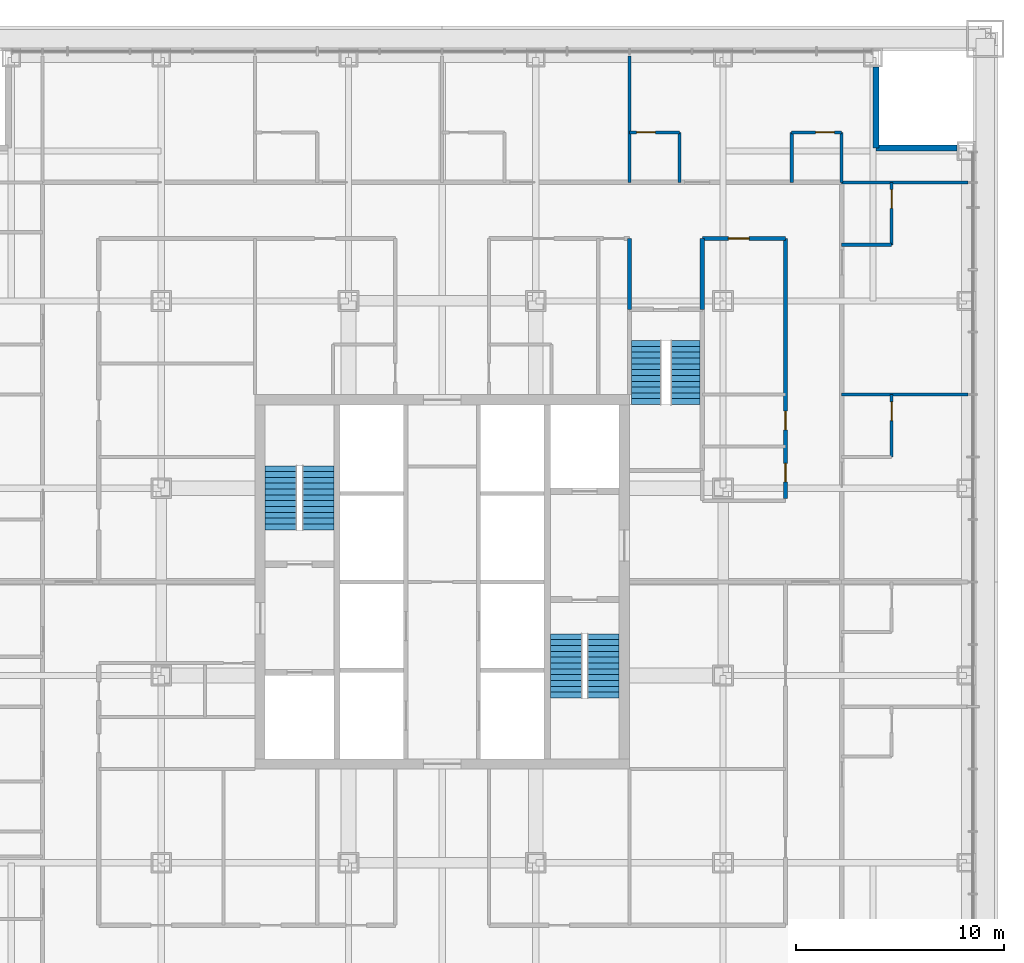
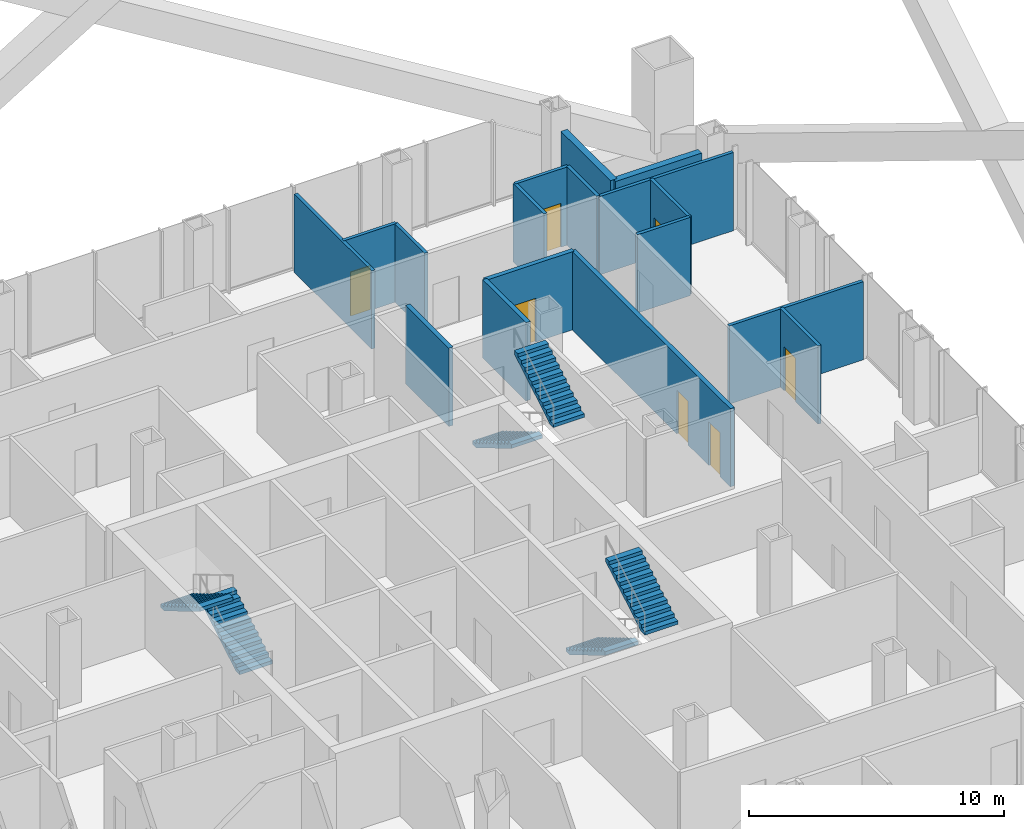
# One storey, part 16 of 21: 17 walls, 7 doors, 6 stair flights, 7 openings, 3 elements without a shape of their own.
"""IFC4 building model written with IfcOpenShell, lengths in metres."""

from ifc_helpers import new_model, si_unit, direction, frame, frame_2d, origin, place, context, subcontext, project, spatial, polyline, rectangle, outline, extrude, material, layer, layer_set, type_object, element, fill, aggregate, save


model = new_model("IFC4")

# Units and contexts
model_context = context("Model", 3, precision=1e-05, world=origin(), true_north=direction((0.0, 1.0)))
body_context = subcontext(model_context, "Body", "Model", "MODEL_VIEW")
ifc_project = project(units=[si_unit("LENGTHUNIT", "METRE"), si_unit("AREAUNIT", "SQUARE_METRE"), si_unit("VOLUMEUNIT", "CUBIC_METRE"), si_unit("PLANEANGLEUNIT", "RADIAN"), si_unit("MASSUNIT", "GRAM", prefix="KILO")], contexts=[model_context])

# Site, building, storey
site_placement = place(None, origin())
site = spatial("IfcSite", under=ifc_project, at=site_placement, CompositionType="ELEMENT")
building_placement = place(site_placement, origin())
building = spatial("IfcBuilding", under=site, at=building_placement, Name="Malebo Sky Hospital", CompositionType="ELEMENT")
storey_placement = place(building_placement, frame((0.0, 0.0, 63.0)))
storey = spatial("IfcBuildingStorey", under=building, at=storey_placement, Name="L14", CompositionType="ELEMENT", Elevation=63.0)

# Wall, opening, door
ifc_material_1 = material(Name="Gypsum board on steel studs", Category="steel")
ifc_layer_1 = layer(ifc_material_1, 0.199951171875)
ifc_layer_set_1 = layer_set([ifc_layer_1], Name="CORRIDOR WALL 200")
wall_type_1 = type_object("IfcWallType", Name="CORRIDOR WALL 200", PredefinedType="PARTITIONING", material=ifc_layer_set_1)
wall_1_placement = place(storey_placement, frame((72.5, 78.5, 0.0), z_axis=(0.0, 0.0, 1.0), x_axis=(1.0, 0.0, 0.0)))
wall_1 = element("IfcWall", 1, at=wall_1_placement, inside=storey, type_object=wall_type_1, Name="Corridor Wall 200 NCI2/2", PredefinedType="PARTITIONING", context=body_context, shape_type="SweptSolid", body=[
    extrude(rectangle(XDim=4.0, YDim=0.199951171875, at=frame_2d((2.0, 0.0))), origin(), (0.0, 0.0, 1.0), 3.75),
])
opening_1_placement = place(wall_1_placement, frame((1.25, 0.0, 0.0)))
opening_1 = element("IfcOpeningElement", 2, at=opening_1_placement, cuts=wall_1, Name="Opening D03", PredefinedType="OPENING", context=body_context, shape_type="SweptSolid", body=[
    extrude(rectangle(XDim=1.0, YDim=2.10009765625, at=frame_2d((0.5, 1.050048828125))), frame((0.0, 0.10986328125, 0.0), z_axis=(0.0, -1.0, 0.0), x_axis=(1.0, 0.0, 0.0)), (0.0, 0.0, 1.0), 0.219970703125),
])
ifc_material_2 = material(Name="Hardwood-faced door leaf in steel frame", Category="steel")
door_type_1 = type_object("IfcDoorType", Name="ROOM DOOR 1000", OperationType="SINGLE_SWING_LEFT", PredefinedType="DOOR", material=ifc_material_2)
door_1_placement = place(opening_1_placement, origin())
door_1 = element("IfcDoor", 3, at=door_1_placement, inside=storey, type_object=door_type_1, Name="Interview room door", OperationType="SINGLE_SWING_LEFT", OverallHeight=2.10009765625, OverallWidth=1.0, PredefinedType="DOOR", context=body_context, shape_type="SweptSolid", body=[
    extrude(rectangle(XDim=1.0, YDim=2.10009765625, at=frame_2d((0.5, 1.050048828125))), frame((0.0, 0.02490234375, 0.0), z_axis=(0.0, -1.0, 0.0), x_axis=(1.0, 0.0, 0.0)), (0.0, 0.0, 1.0), 0.050048828125),
])
fill(opening_1, door_1)

# Wall, openings, doors
wall_2_placement = place(storey_placement, frame((76.5, 78.5, 0.0), z_axis=(0.0, 0.0, 1.0), x_axis=(0.0, -1.0, 0.0)))
wall_2 = element("IfcWall", 4, at=wall_2_placement, inside=storey, type_object=wall_type_1, Name="Corridor Wall 200 ECI1", PredefinedType="PARTITIONING", context=body_context, shape_type="SweptSolid", body=[
    extrude(rectangle(XDim=12.5, YDim=0.199951171875, at=frame_2d((6.25, 0.0))), origin(), (0.0, 0.0, 1.0), 3.75),
])
opening_2_placement = place(wall_2_placement, frame((8.300048828125, 0.0, 0.0)))
opening_2 = element("IfcOpeningElement", 5, at=opening_2_placement, cuts=wall_2, Name="Opening D04", PredefinedType="OPENING", context=body_context, shape_type="SweptSolid", body=[
    extrude(rectangle(XDim=0.89990234375, YDim=2.10009765625, at=frame_2d((0.449951171875, 1.050048828125))), frame((0.0, 0.10986328125, 0.0), z_axis=(0.0, -1.0, 0.0), x_axis=(1.0, 0.0, 0.0)), (0.0, 0.0, 1.0), 0.219970703125),
])
opening_3_placement = place(wall_2_placement, frame((10.800048828125, 0.0, 0.0)))
opening_3 = element("IfcOpeningElement", 6, at=opening_3_placement, cuts=wall_2, Name="Opening D04", PredefinedType="OPENING", context=body_context, shape_type="SweptSolid", body=[
    extrude(rectangle(XDim=0.89990234375, YDim=2.10009765625, at=frame_2d((0.449951171875, 1.050048828125))), frame((0.0, 0.10986328125, 0.0), z_axis=(0.0, -1.0, 0.0), x_axis=(1.0, 0.0, 0.0)), (0.0, 0.0, 1.0), 0.219970703125),
])
door_type_2 = type_object("IfcDoorType", Name="ROOM DOOR 900", OperationType="SINGLE_SWING_LEFT", PredefinedType="DOOR", material=ifc_material_2)
door_2_placement = place(opening_2_placement, origin())
door_2 = element("IfcDoor", 7, at=door_2_placement, inside=storey, type_object=door_type_2, Name="Equipment store door", OperationType="SINGLE_SWING_LEFT", OverallHeight=2.10009765625, OverallWidth=0.89990234375, PredefinedType="DOOR", context=body_context, shape_type="SweptSolid", body=[
    extrude(rectangle(XDim=0.89990234375, YDim=2.10009765625, at=frame_2d((0.449951171875, 1.050048828125))), frame((0.0, 0.02490234375, 0.0), z_axis=(0.0, -1.0, 0.0), x_axis=(1.0, 0.0, 0.0)), (0.0, 0.0, 1.0), 0.050048828125),
])
fill(opening_2, door_2)
door_3_placement = place(opening_3_placement, origin())
door_3 = element("IfcDoor", 8, at=door_3_placement, inside=storey, type_object=door_type_2, Name="Medication room door", OperationType="SINGLE_SWING_LEFT", OverallHeight=2.10009765625, OverallWidth=0.89990234375, PredefinedType="DOOR", context=body_context, shape_type="SweptSolid", body=[
    extrude(rectangle(XDim=0.89990234375, YDim=2.10009765625, at=frame_2d((0.449951171875, 1.050048828125))), frame((0.0, 0.02490234375, 0.0), z_axis=(0.0, -1.0, 0.0), x_axis=(1.0, 0.0, 0.0)), (0.0, 0.0, 1.0), 0.050048828125),
])
fill(opening_3, door_3)

# Walls
for number, where, z_axis, x_axis, name in (
    (9, (69.0, 75.10009765625, 0.0), (0.0, 0.0, 1.0), (0.0, 1.0, 0.0), "Corridor Wall 200 ST3AW"),
    (10, (72.5, 75.10009765625, 0.0), (0.0, 0.0, 1.0), (0.0, 1.0, 0.0), "Corridor Wall 200 ST3AE"),
):
    element("IfcWall", number, at=place(storey_placement, frame(where, z_axis=z_axis, x_axis=x_axis)), inside=storey, type_object=wall_type_1, Name=name, PredefinedType="PARTITIONING", context=body_context, shape_type="SweptSolid", body=[
        extrude(rectangle(XDim=3.39990234375, YDim=0.199951171875, at=frame_2d((1.699951171875, 0.0))), origin(), (0.0, 0.0, 1.0), 3.75),
    ])
ifc_material_3 = material(Name="Anodised aluminium rainscreen on steel framing", Category="steel")
ifc_layer_2 = layer(ifc_material_3, 0.300048828125)
ifc_layer_set_2 = layer_set([ifc_layer_2], Name="NOTCH RAINSCREEN WALL 300")
wall_type_2 = type_object("IfcWallType", Name="NOTCH RAINSCREEN WALL 300", PredefinedType="ELEMENTEDWALL", material=ifc_layer_set_2)
for number, where, z_axis, x_axis, name in (
    (11, (80.85009765625, 86.75, 0.0), (0.0, 0.0, 1.0), (0.0, -1.0, 0.0), "Notch rainscreen wall N1 L14"),
    (12, (80.85009765625, 82.85009765625, 0.0), (0.0, 0.0, 1.0), (1.0, 0.0, 0.0), "Notch rainscreen wall N2 L14"),
):
    element("IfcWall", number, at=place(storey_placement, frame(where, z_axis=z_axis, x_axis=x_axis)), inside=storey, type_object=wall_type_2, Name=name, PredefinedType="ELEMENTEDWALL", context=body_context, shape_type="SweptSolid", body=[
        extrude(rectangle(XDim=3.89990234375, YDim=0.300048828125, at=frame_2d((1.949951171875, 0.0))), origin(), (0.0, 0.0, 1.0), 2.949951171875),
    ])
ifc_layer_3 = layer(ifc_material_1, 0.14990234375)
ifc_layer_set_3 = layer_set([ifc_layer_3], Name="PARTITION 150")
wall_type_3 = type_object("IfcWallType", Name="PARTITION 150", PredefinedType="PARTITIONING", material=ifc_layer_set_3)
wall_3_placement = place(storey_placement, frame((69.0, 81.199951171875, 0.0), z_axis=(0.0, 0.0, 1.0), x_axis=(0.0, 1.0, 0.0)))
element("IfcWall", 13, at=wall_3_placement, inside=storey, type_object=wall_type_3, Name="Partition 150 NP+9.0", PredefinedType="PARTITIONING", context=body_context, shape_type="SweptSolid", body=[
    extrude(rectangle(XDim=6.074951171875, YDim=0.14990234375, at=frame_2d((3.03759765625, 0.0))), origin(), (0.0, 0.0, 1.0), 3.75),
])

# Wall, opening, door
wall_4_placement = place(storey_placement, frame((69.0, 83.60009765625, 0.0), z_axis=(0.0, 0.0, 1.0), x_axis=(1.0, 0.0, 0.0)))
wall_4 = element("IfcWall", 14, at=wall_4_placement, inside=storey, type_object=wall_type_3, Name="Partition 150 NE3F", PredefinedType="PARTITIONING", context=body_context, shape_type="SweptSolid", body=[
    extrude(rectangle(XDim=2.39990234375, YDim=0.14990234375, at=frame_2d((1.199951171875, 0.0))), origin(), (0.0, 0.0, 1.0), 3.75),
])
opening_4_placement = place(wall_4_placement, frame((0.35009765625, 0.0, 0.0)))
opening_4 = element("IfcOpeningElement", 15, at=opening_4_placement, cuts=wall_4, Name="Opening D02", PredefinedType="OPENING", context=body_context, shape_type="SweptSolid", body=[
    extrude(rectangle(XDim=0.89990234375, YDim=2.10009765625, at=frame_2d((0.449951171875, 1.050048828125))), frame((0.0, 0.0849609375, 0.0), z_axis=(0.0, -1.0, 0.0), x_axis=(1.0, 0.0, 0.0)), (0.0, 0.0, 1.0), 0.169921875),
])
door_type_3 = type_object("IfcDoorType", Name="EN-SUITE DOOR 900", OperationType="SINGLE_SWING_LEFT", PredefinedType="DOOR", material=ifc_material_2)
door_4_placement = place(opening_4_placement, origin())
door_4 = element("IfcDoor", 16, at=door_4_placement, inside=storey, type_object=door_type_3, Name="En-suite door", OperationType="SINGLE_SWING_LEFT", OverallHeight=2.10009765625, OverallWidth=0.89990234375, PredefinedType="DOOR", context=body_context, shape_type="SweptSolid", body=[
    extrude(rectangle(XDim=0.89990234375, YDim=2.10009765625, at=frame_2d((0.449951171875, 1.050048828125))), frame((0.0, 0.02490234375, 0.0), z_axis=(0.0, -1.0, 0.0), x_axis=(1.0, 0.0, 0.0)), (0.0, 0.0, 1.0), 0.050048828125),
])
fill(opening_4, door_4)

# Wall
wall_5_placement = place(storey_placement, frame((71.39990234375, 81.199951171875, 0.0), z_axis=(0.0, 0.0, 1.0), x_axis=(0.0, 1.0, 0.0)))
element("IfcWall", 17, at=wall_5_placement, inside=storey, type_object=wall_type_3, Name="Partition 150 NE3S", PredefinedType="PARTITIONING", context=body_context, shape_type="SweptSolid", body=[
    extrude(rectangle(XDim=2.400146484375, YDim=0.14990234375, at=frame_2d((1.2001953125, 0.0))), origin(), (0.0, 0.0, 1.0), 3.75),
])

# Wall, opening, door
wall_6_placement = place(storey_placement, frame((76.800048828125, 83.60009765625, 0.0), z_axis=(0.0, 0.0, 1.0), x_axis=(1.0, 0.0, 0.0)))
wall_6 = element("IfcWall", 18, at=wall_6_placement, inside=storey, type_object=wall_type_3, Name="Partition 150 NG3F", PredefinedType="PARTITIONING", context=body_context, shape_type="SweptSolid", body=[
    extrude(rectangle(XDim=2.39990234375, YDim=0.14990234375, at=frame_2d((1.199951171875, 0.0))), origin(), (0.0, 0.0, 1.0), 3.75),
])
opening_5_placement = place(wall_6_placement, frame((1.14990234375, 0.0, 0.0)))
opening_5 = element("IfcOpeningElement", 19, at=opening_5_placement, cuts=wall_6, Name="Opening D02", PredefinedType="OPENING", context=body_context, shape_type="SweptSolid", body=[
    extrude(rectangle(XDim=0.89990234375, YDim=2.10009765625, at=frame_2d((0.449951171875, 1.050048828125))), frame((0.0, 0.0849609375, 0.0), z_axis=(0.0, -1.0, 0.0), x_axis=(1.0, 0.0, 0.0)), (0.0, 0.0, 1.0), 0.169921875),
])
door_5_placement = place(opening_5_placement, origin())
door_5 = element("IfcDoor", 20, at=door_5_placement, inside=storey, type_object=door_type_3, Name="En-suite door", OperationType="SINGLE_SWING_RIGHT", OverallHeight=2.10009765625, OverallWidth=0.89990234375, PredefinedType="DOOR", context=body_context, shape_type="SweptSolid", body=[
    extrude(rectangle(XDim=0.89990234375, YDim=2.10009765625, at=frame_2d((0.449951171875, 1.050048828125))), frame((0.0, 0.02490234375, 0.0), z_axis=(0.0, -1.0, 0.0), x_axis=(1.0, 0.0, 0.0)), (0.0, 0.0, 1.0), 0.050048828125),
])
fill(opening_5, door_5)

# Walls
for number, where, z_axis, x_axis, name in (
    (21, (76.800048828125, 81.199951171875, 0.0), (0.0, 0.0, 1.0), (0.0, 1.0, 0.0), "Partition 150 NG3S"),
    (22, (79.199951171875, 81.199951171875, 0.0), (0.0, 0.0, 1.0), (0.0, 1.0, 0.0), "Partition 150 NEZ"),
):
    element("IfcWall", number, at=place(storey_placement, frame(where, z_axis=z_axis, x_axis=x_axis)), inside=storey, type_object=wall_type_3, Name=name, PredefinedType="PARTITIONING", context=body_context, shape_type="SweptSolid", body=[
        extrude(rectangle(XDim=2.400146484375, YDim=0.14990234375, at=frame_2d((1.2001953125, 0.0))), origin(), (0.0, 0.0, 1.0), 3.75),
    ])
for number, where, z_axis, x_axis, name in (
    (23, (79.199951171875, 71.0, 0.0), (0.0, 0.0, 1.0), (1.0, 0.0, 0.0), "Partition 150 EP-9.0"),
    (24, (79.199951171875, 81.199951171875, 0.0), (0.0, 0.0, 1.0), (1.0, 0.0, 0.0), "Partition 150 EP0"),
):
    element("IfcWall", number, at=place(storey_placement, frame(where, z_axis=z_axis, x_axis=x_axis)), inside=storey, type_object=wall_type_3, Name=name, PredefinedType="PARTITIONING", context=body_context, shape_type="SweptSolid", body=[
        extrude(rectangle(XDim=6.074951171875, YDim=0.14990234375, at=frame_2d((3.03759765625, 0.0))), origin(), (0.0, 0.0, 1.0), 3.75),
    ])

# Wall, opening, door
wall_7_placement = place(storey_placement, frame((81.60009765625, 81.199951171875, 0.0), z_axis=(0.0, 0.0, 1.0), x_axis=(0.0, -1.0, 0.0)))
wall_7 = element("IfcWall", 25, at=wall_7_placement, inside=storey, type_object=wall_type_3, Name="Partition 150 EE0F", PredefinedType="PARTITIONING", context=body_context, shape_type="SweptSolid", body=[
    extrude(rectangle(XDim=3.0, YDim=0.14990234375, at=frame_2d((1.5, 0.0))), origin(), (0.0, 0.0, 1.0), 3.75),
])
opening_6_placement = place(wall_7_placement, frame((0.35009765625, 0.0, 0.0)))
opening_6 = element("IfcOpeningElement", 26, at=opening_6_placement, cuts=wall_7, Name="Opening D02", PredefinedType="OPENING", context=body_context, shape_type="SweptSolid", body=[
    extrude(rectangle(XDim=0.89990234375, YDim=2.10009765625, at=frame_2d((0.449951171875, 1.050048828125))), frame((0.0, 0.0849609375, 0.0), z_axis=(0.0, -1.0, 0.0), x_axis=(1.0, 0.0, 0.0)), (0.0, 0.0, 1.0), 0.169921875),
])
door_6_placement = place(opening_6_placement, origin())
door_6 = element("IfcDoor", 27, at=door_6_placement, inside=storey, type_object=door_type_3, Name="En-suite door", OperationType="SINGLE_SWING_LEFT", OverallHeight=2.10009765625, OverallWidth=0.89990234375, PredefinedType="DOOR", context=body_context, shape_type="SweptSolid", body=[
    extrude(rectangle(XDim=0.89990234375, YDim=2.10009765625, at=frame_2d((0.449951171875, 1.050048828125))), frame((0.0, 0.02490234375, 0.0), z_axis=(0.0, -1.0, 0.0), x_axis=(1.0, 0.0, 0.0)), (0.0, 0.0, 1.0), 0.050048828125),
])
fill(opening_6, door_6)

# Wall
wall_8_placement = place(storey_placement, frame((79.199951171875, 78.199951171875, 0.0), z_axis=(0.0, 0.0, 1.0), x_axis=(1.0, 0.0, 0.0)))
element("IfcWall", 28, at=wall_8_placement, inside=storey, type_object=wall_type_3, Name="Partition 150 EE0S", PredefinedType="PARTITIONING", context=body_context, shape_type="SweptSolid", body=[
    extrude(rectangle(XDim=2.400146484375, YDim=0.14990234375, at=frame_2d((1.2001953125, 0.0))), origin(), (0.0, 0.0, 1.0), 3.75),
])

# Wall, opening, door
wall_9_placement = place(storey_placement, frame((81.60009765625, 71.0, 0.0), z_axis=(0.0, 0.0, 1.0), x_axis=(0.0, -1.0, 0.0)))
wall_9 = element("IfcWall", 29, at=wall_9_placement, inside=storey, type_object=wall_type_3, Name="Partition 150 EE1F", PredefinedType="PARTITIONING", context=body_context, shape_type="SweptSolid", body=[
    extrude(rectangle(XDim=3.0, YDim=0.14990234375, at=frame_2d((1.5, 0.0))), origin(), (0.0, 0.0, 1.0), 3.75),
])
opening_7_placement = place(wall_9_placement, frame((0.35009765625, 0.0, 0.0)))
opening_7 = element("IfcOpeningElement", 30, at=opening_7_placement, cuts=wall_9, Name="Opening D02", PredefinedType="OPENING", context=body_context, shape_type="SweptSolid", body=[
    extrude(rectangle(XDim=0.89990234375, YDim=2.10009765625, at=frame_2d((0.449951171875, 1.050048828125))), frame((0.0, 0.0849609375, 0.0), z_axis=(0.0, -1.0, 0.0), x_axis=(1.0, 0.0, 0.0)), (0.0, 0.0, 1.0), 0.169921875),
])
door_7_placement = place(opening_7_placement, origin())
door_7 = element("IfcDoor", 31, at=door_7_placement, inside=storey, type_object=door_type_3, Name="En-suite door", OperationType="SINGLE_SWING_LEFT", OverallHeight=2.10009765625, OverallWidth=0.89990234375, PredefinedType="DOOR", context=body_context, shape_type="SweptSolid", body=[
    extrude(rectangle(XDim=0.89990234375, YDim=2.10009765625, at=frame_2d((0.449951171875, 1.050048828125))), frame((0.0, 0.02490234375, 0.0), z_axis=(0.0, -1.0, 0.0), x_axis=(1.0, 0.0, 0.0)), (0.0, 0.0, 1.0), 0.050048828125),
])
fill(opening_7, door_7)

# Stair, stair flights
ifc_material_4 = material(Name="Concrete C40/50", Category="concrete")
stair_type_1 = type_object("IfcStairType", Name="HALF-TURN STAIR 1400 R167", PredefinedType="HALF_TURN_STAIR", material=ifc_material_4)
stair_1_placement = place(storey_placement, origin())
stair_1 = element("IfcStair", 32, at=stair_1_placement, inside=storey, type_object=stair_type_1, Name="Stair S3 L14 type ST1B", PredefinedType="HALF_TURN_STAIR")
stair_flight_type_1 = type_object("IfcStairFlightType", Name="STAIR FLIGHT 1400 R167", PredefinedType="STRAIGHT", material=ifc_material_4)
stair_flight_1_placement = place(storey_placement, frame((69.800048828125, 73.60009765625, 0.0), z_axis=(0.0, 0.0, 1.0), x_axis=(0.0, -1.0, 0.0)))
stair_flight_1 = element("IfcStairFlight", 33, at=stair_flight_1_placement, type_object=stair_flight_type_1, Name="S3 flight 1 type SF1B", NumberOfRisers=12, NumberOfTreads=11, PredefinedType="STRAIGHT", RiserHeight=0.166666667, TreadLength=0.28, context=body_context, shape_type="SweptSolid", body=[
    extrude(outline(polyline([(0.0, 0.0), (0.0, 0.166748046875), (0.280029296875, 0.166748046875), (0.280029296875, 0.333251953125), (0.56005859375, 0.333251953125), (0.56005859375, 0.5), (0.840087890625, 0.5), (0.840087890625, 0.666748046875), (1.1201171875, 0.666748046875), (1.1201171875, 0.833251953125), (1.39990234375, 0.833251953125), (1.39990234375, 1.0), (1.679931640625, 1.0), (1.679931640625, 1.166748046875), (1.9599609375, 1.166748046875), (1.9599609375, 1.333251953125), (2.239990234375, 1.333251953125), (2.239990234375, 1.5), (2.52001953125, 1.5), (2.52001953125, 1.666748046875), (2.800048828125, 1.666748046875), (2.800048828125, 1.833251953125), (3.080078125, 1.833251953125), (3.080078125, 2.0), (3.080078125, 1.658935546875), (0.29296875, 0.0), (0.0, 0.0)])), frame((0.0, 0.699951171875, 0.0), z_axis=(0.0, -1.0, 0.0), x_axis=(1.0, 0.0, 0.0)), (0.0, 0.0, 1.0), 1.39990234375),
])
stair_flight_2_placement = place(storey_placement, frame((71.699951171875, 70.52001953125, 2.0), z_axis=(0.0, 0.0, 1.0), x_axis=(0.0, 1.0, 0.0)))
stair_flight_2 = element("IfcStairFlight", 34, at=stair_flight_2_placement, type_object=stair_flight_type_1, Name="S3 flight 2 type SF1B", NumberOfRisers=12, NumberOfTreads=11, PredefinedType="STRAIGHT", RiserHeight=0.166666667, TreadLength=0.28, context=body_context, shape_type="SweptSolid", body=[
    extrude(outline(polyline([(0.0, 0.0), (0.0, 0.166748046875), (0.280029296875, 0.166748046875), (0.280029296875, 0.333251953125), (0.56005859375, 0.333251953125), (0.56005859375, 0.5), (0.840087890625, 0.5), (0.840087890625, 0.666748046875), (1.1201171875, 0.666748046875), (1.1201171875, 0.833251953125), (1.39990234375, 0.833251953125), (1.39990234375, 1.0), (1.679931640625, 1.0), (1.679931640625, 1.166748046875), (1.9599609375, 1.166748046875), (1.9599609375, 1.333251953125), (2.239990234375, 1.333251953125), (2.239990234375, 1.5), (2.52001953125, 1.5), (2.52001953125, 1.666748046875), (2.800048828125, 1.666748046875), (2.800048828125, 1.833251953125), (3.080078125, 1.833251953125), (3.080078125, 2.0), (3.080078125, 1.658935546875), (0.29296875, 0.0), (0.0, 0.0)])), frame((0.0, 0.699951171875, 0.0), z_axis=(0.0, -1.0, 0.0), x_axis=(1.0, 0.0, 0.0)), (0.0, 0.0, 1.0), 1.39990234375),
])
aggregate(stair_1, [stair_flight_1, stair_flight_2])

stair_type_2 = type_object("IfcStairType", Name="HALF-TURN STAIR 1500 R167", PredefinedType="HALF_TURN_STAIR", material=ifc_material_4)
stair_2_placement = place(storey_placement, origin())
stair_2 = element("IfcStair", 35, at=stair_2_placement, inside=storey, type_object=stair_type_2, Name="Stair S1 L14 type ST1", PredefinedType="HALF_TURN_STAIR")
stair_flight_type_2 = type_object("IfcStairFlightType", Name="STAIR FLIGHT 1500 R167", PredefinedType="STRAIGHT", material=ifc_material_4)
stair_flight_3_placement = place(storey_placement, frame((54.050048828125, 64.5, 0.0), z_axis=(0.0, 0.0, 1.0), x_axis=(0.0, 1.0, 0.0)))
stair_flight_3 = element("IfcStairFlight", 36, at=stair_flight_3_placement, type_object=stair_flight_type_2, Name="S1 flight 1 type SF1", NumberOfRisers=12, NumberOfTreads=11, PredefinedType="STRAIGHT", RiserHeight=0.166666667, TreadLength=0.28, context=body_context, shape_type="SweptSolid", body=[
    extrude(outline(polyline([(0.0, 0.0), (0.0, 0.166748046875), (0.280029296875, 0.166748046875), (0.280029296875, 0.333251953125), (0.56005859375, 0.333251953125), (0.56005859375, 0.5), (0.840087890625, 0.5), (0.840087890625, 0.666748046875), (1.1201171875, 0.666748046875), (1.1201171875, 0.833251953125), (1.39990234375, 0.833251953125), (1.39990234375, 1.0), (1.679931640625, 1.0), (1.679931640625, 1.166748046875), (1.9599609375, 1.166748046875), (1.9599609375, 1.333251953125), (2.239990234375, 1.333251953125), (2.239990234375, 1.5), (2.52001953125, 1.5), (2.52001953125, 1.666748046875), (2.800048828125, 1.666748046875), (2.800048828125, 1.833251953125), (3.080078125, 1.833251953125), (3.080078125, 2.0), (3.080078125, 1.658935546875), (0.29296875, 0.0), (0.0, 0.0)])), frame((0.0, 0.75, 0.0), z_axis=(0.0, -1.0, 0.0), x_axis=(1.0, 0.0, 0.0)), (0.0, 0.0, 1.0), 1.5),
])
stair_flight_4_placement = place(storey_placement, frame((52.25, 67.580078125, 2.0), z_axis=(0.0, 0.0, 1.0), x_axis=(0.0, -1.0, 0.0)))
stair_flight_4 = element("IfcStairFlight", 37, at=stair_flight_4_placement, type_object=stair_flight_type_2, Name="S1 flight 2 type SF1", NumberOfRisers=12, NumberOfTreads=11, PredefinedType="STRAIGHT", RiserHeight=0.166666667, TreadLength=0.28, context=body_context, shape_type="SweptSolid", body=[
    extrude(outline(polyline([(0.0, 0.0), (0.0, 0.166748046875), (0.280029296875, 0.166748046875), (0.280029296875, 0.333251953125), (0.56005859375, 0.333251953125), (0.56005859375, 0.5), (0.840087890625, 0.5), (0.840087890625, 0.666748046875), (1.1201171875, 0.666748046875), (1.1201171875, 0.833251953125), (1.39990234375, 0.833251953125), (1.39990234375, 1.0), (1.679931640625, 1.0), (1.679931640625, 1.166748046875), (1.9599609375, 1.166748046875), (1.9599609375, 1.333251953125), (2.239990234375, 1.333251953125), (2.239990234375, 1.5), (2.52001953125, 1.5), (2.52001953125, 1.666748046875), (2.800048828125, 1.666748046875), (2.800048828125, 1.833251953125), (3.080078125, 1.833251953125), (3.080078125, 2.0), (3.080078125, 1.658935546875), (0.29296875, 0.0), (0.0, 0.0)])), frame((0.0, 0.75, 0.0), z_axis=(0.0, -1.0, 0.0), x_axis=(1.0, 0.0, 0.0)), (0.0, 0.0, 1.0), 1.5),
])
aggregate(stair_2, [stair_flight_3, stair_flight_4])

stair_3_placement = place(storey_placement, origin())
stair_3 = element("IfcStair", 38, at=stair_3_placement, inside=storey, type_object=stair_type_2, Name="Stair S2 L14 type ST1", PredefinedType="HALF_TURN_STAIR")
stair_flight_5_placement = place(storey_placement, frame((65.949951171875, 59.5, 0.0), z_axis=(0.0, 0.0, 1.0), x_axis=(0.0, -1.0, 0.0)))
stair_flight_5 = element("IfcStairFlight", 39, at=stair_flight_5_placement, type_object=stair_flight_type_2, Name="S2 flight 1 type SF1", NumberOfRisers=12, NumberOfTreads=11, PredefinedType="STRAIGHT", RiserHeight=0.166666667, TreadLength=0.28, context=body_context, shape_type="SweptSolid", body=[
    extrude(outline(polyline([(0.0, 0.0), (0.0, 0.166748046875), (0.280029296875, 0.166748046875), (0.280029296875, 0.333251953125), (0.56005859375, 0.333251953125), (0.56005859375, 0.5), (0.840087890625, 0.5), (0.840087890625, 0.666748046875), (1.1201171875, 0.666748046875), (1.1201171875, 0.833251953125), (1.39990234375, 0.833251953125), (1.39990234375, 1.0), (1.679931640625, 1.0), (1.679931640625, 1.166748046875), (1.9599609375, 1.166748046875), (1.9599609375, 1.333251953125), (2.239990234375, 1.333251953125), (2.239990234375, 1.5), (2.52001953125, 1.5), (2.52001953125, 1.666748046875), (2.800048828125, 1.666748046875), (2.800048828125, 1.833251953125), (3.080078125, 1.833251953125), (3.080078125, 2.0), (3.080078125, 1.658935546875), (0.29296875, 0.0), (0.0, 0.0)])), frame((0.0, 0.75, 0.0), z_axis=(0.0, -1.0, 0.0), x_axis=(1.0, 0.0, 0.0)), (0.0, 0.0, 1.0), 1.5),
])
stair_flight_6_placement = place(storey_placement, frame((67.75, 56.419921875, 2.0), z_axis=(0.0, 0.0, 1.0), x_axis=(0.0, 1.0, 0.0)))
stair_flight_6 = element("IfcStairFlight", 40, at=stair_flight_6_placement, type_object=stair_flight_type_2, Name="S2 flight 2 type SF1", NumberOfRisers=12, NumberOfTreads=11, PredefinedType="STRAIGHT", RiserHeight=0.166666667, TreadLength=0.28, context=body_context, shape_type="SweptSolid", body=[
    extrude(outline(polyline([(0.0, 0.0), (0.0, 0.166748046875), (0.280029296875, 0.166748046875), (0.280029296875, 0.333251953125), (0.56005859375, 0.333251953125), (0.56005859375, 0.5), (0.840087890625, 0.5), (0.840087890625, 0.666748046875), (1.1201171875, 0.666748046875), (1.1201171875, 0.833251953125), (1.39990234375, 0.833251953125), (1.39990234375, 1.0), (1.679931640625, 1.0), (1.679931640625, 1.166748046875), (1.9599609375, 1.166748046875), (1.9599609375, 1.333251953125), (2.239990234375, 1.333251953125), (2.239990234375, 1.5), (2.52001953125, 1.5), (2.52001953125, 1.666748046875), (2.800048828125, 1.666748046875), (2.800048828125, 1.833251953125), (3.080078125, 1.833251953125), (3.080078125, 2.0), (3.080078125, 1.658935546875), (0.29296875, 0.0), (0.0, 0.0)])), frame((0.0, 0.75, 0.0), z_axis=(0.0, -1.0, 0.0), x_axis=(1.0, 0.0, 0.0)), (0.0, 0.0, 1.0), 1.5),
])
aggregate(stair_3, [stair_flight_5, stair_flight_6])

save(model, "model.ifc")
